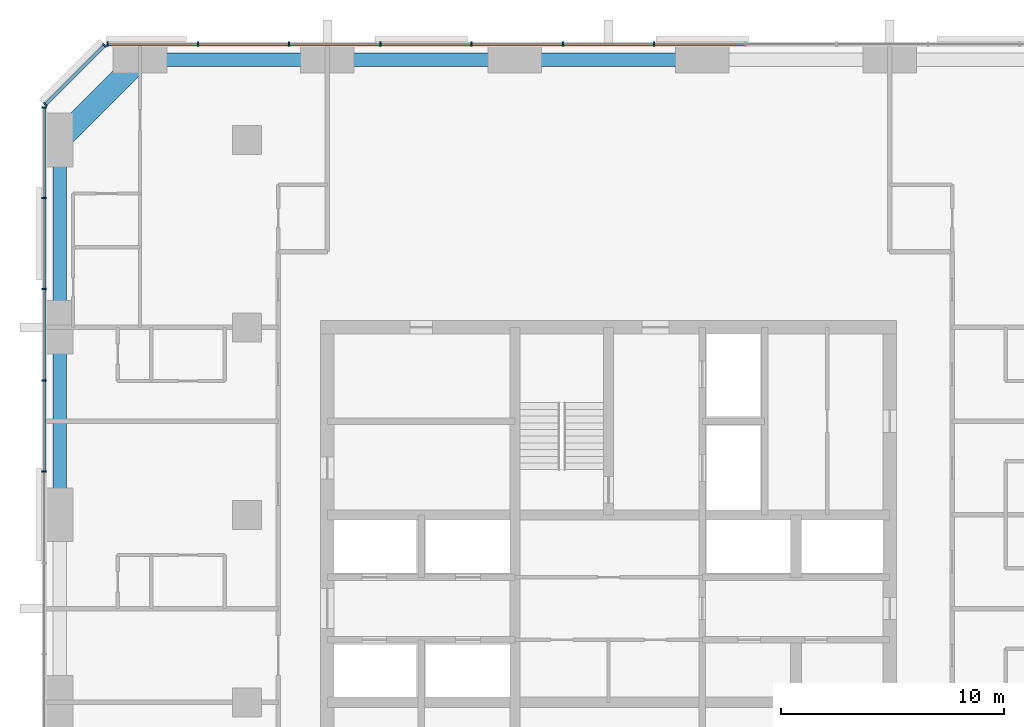
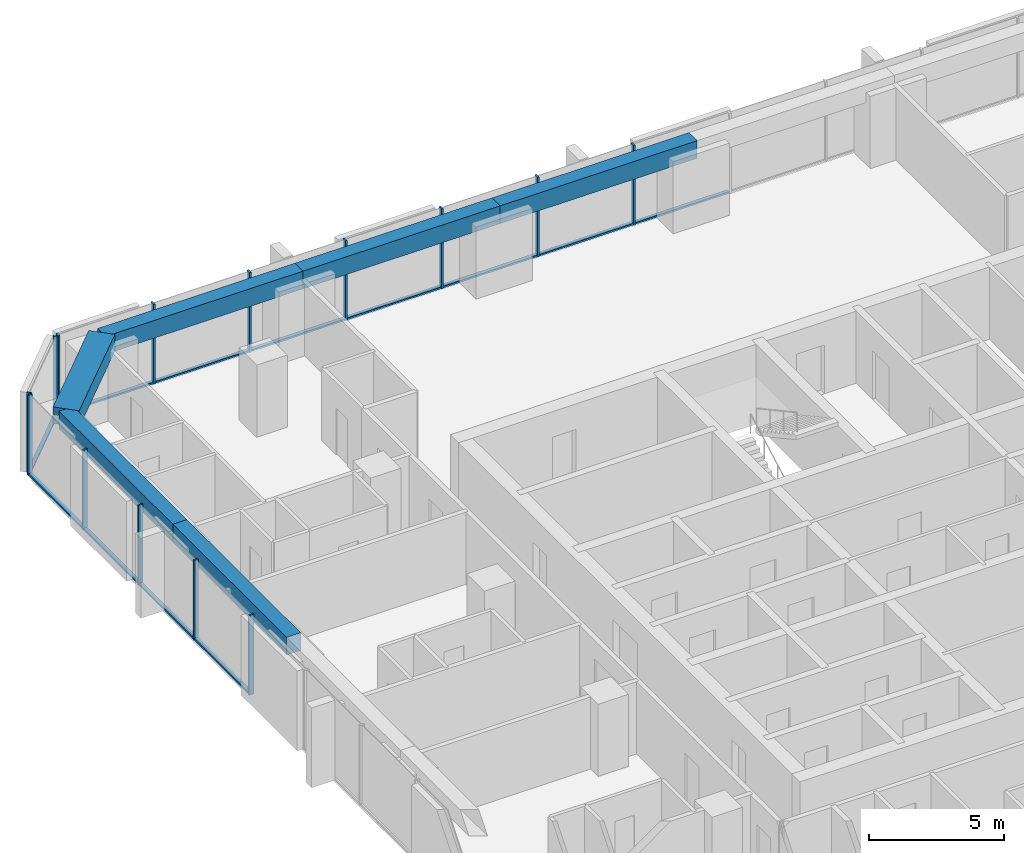
# One storey, part 5 of 14: 26 members, 6 beams, 3 elements without a shape of their own.
"""IFC4 building model written with IfcOpenShell, lengths in metres."""

import ifcopenshell
import ifcopenshell.guid

model = None  # the IFC model being written
_history = None  # IfcOwnerHistory: only IFC2X3 demands one
_inside = {}  # id of a spatial element -> (the spatial element, [elements in it])
_under = {}  # id of a project, library or spatial element -> (it, [spatial elements below it])
_declared = {}  # id of a project -> (the project, [libraries it declares])
_typed = {}  # id of a type object -> (the type object, [elements of that type])
_made_of = {}  # id of a material, layer set ... -> (it, [elements and type objects made of it])


def new_model(schema):
    """Start an empty IFC model of exactly this schema.

    Asked for "IFC4X3", IfcOpenShell would pick the latest addendum, in which some entities
    have other attributes; the version numbers below select the first issue.
    IFC2X3 requires an IfcOwnerHistory on every rooted entity: one is made here for all.
    """
    global model, _history
    if schema == "IFC4X3":
        model = ifcopenshell.file(schema_version=(4, 3, 0, 0))
    else:
        model = ifcopenshell.file(schema=schema)
    _inside.clear()
    _under.clear()
    _declared.clear()
    _typed.clear()
    _made_of.clear()
    _history = None
    if model.schema == "IFC2X3":
        org = make("IfcOrganization", Name="unknown")
        user = make(
            "IfcPersonAndOrganization",
            ThePerson=make("IfcPerson", FamilyName="unknown"),
            TheOrganization=org,
        )
        app = make(
            "IfcApplication",
            ApplicationDeveloper=org,
            Version="unknown",
            ApplicationFullName="unknown",
            ApplicationIdentifier="unknown",
        )
        _history = make(
            "IfcOwnerHistory",
            OwningUser=user,
            OwningApplication=app,
            ChangeAction="ADDED",
            CreationDate=0,
        )
    return model


def make(cls, **values):
    """One entity of the class cls with the attributes given. An attribute that is None is left unset."""
    return model.create_entity(
        cls, **{name: value for name, value in values.items() if value is not None}
    )


def rooted(cls, **values):
    """An entity with a GlobalId (a new one), such as an element, a storey or a relation."""
    return make(cls, GlobalId=ifcopenshell.guid.new(), OwnerHistory=_history, **values)


def si_unit(unit_type, name, prefix=None):
    """IfcSIUnit, for example si_unit("LENGTHUNIT", "METRE", prefix="MILLI")."""
    return make("IfcSIUnit", UnitType=unit_type, Prefix=prefix, Name=name)


def assignment(units):
    """IfcUnitAssignment: the units of a project."""
    return None if units is None else make("IfcUnitAssignment", Units=units)


def point(xyz):
    """IfcCartesianPoint."""
    return None if xyz is None else make("IfcCartesianPoint", Coordinates=xyz)


def direction(xyz):
    """IfcDirection."""
    return None if xyz is None else make("IfcDirection", DirectionRatios=xyz)


def frame(location, z_axis=None, x_axis=None):
    """IfcAxis2Placement3D, a coordinate frame: its origin and axes. An axis left out is left unset."""
    return make(
        "IfcAxis2Placement3D",
        Location=point(location),
        Axis=direction(z_axis),
        RefDirection=direction(x_axis),
    )


def frame_2d(location, x_axis=None):
    """IfcAxis2Placement2D, a coordinate frame in the plane: its origin and x axis."""
    return make(
        "IfcAxis2Placement2D", Location=point(location), RefDirection=direction(x_axis)
    )


def origin():
    """The frame at (0, 0, 0) with its axes left unset."""
    return frame((0.0, 0.0, 0.0))


def origin_2d():
    """The frame at (0, 0) in the plane with its x axis left unset."""
    return frame_2d((0.0, 0.0))


def place(relative_to, where):
    """IfcLocalPlacement: puts the frame where relative to a parent placement (None: the world)."""
    return make(
        "IfcLocalPlacement", PlacementRelTo=relative_to, RelativePlacement=where
    )


def context(
    kind, dimensions, precision=None, world=None, true_north=None, identifier=None
):
    """IfcGeometricRepresentationContext, for example the 3D "Model" context."""
    return make(
        "IfcGeometricRepresentationContext",
        ContextIdentifier=identifier,
        ContextType=kind,
        CoordinateSpaceDimension=dimensions,
        Precision=precision,
        WorldCoordinateSystem=world,
        TrueNorth=true_north,
    )


def subcontext(parent, identifier, kind, view, scale=None):
    """IfcGeometricRepresentationSubContext, for example "Body" below "Model"."""
    return make(
        "IfcGeometricRepresentationSubContext",
        ContextIdentifier=identifier,
        ContextType=kind,
        ParentContext=parent,
        TargetScale=scale,
        TargetView=view,
    )


def project(units=None, contexts=None):
    """IfcProject with its units and contexts."""
    return rooted(
        "IfcProject",
        Name="project",
        RepresentationContexts=contexts,
        UnitsInContext=assignment(units),
    )


def spatial(cls, under=None, at=None, **own):
    """A site, building, storey or space (cls), placed at a placement, below another one or the project."""
    s = rooted(cls, ObjectPlacement=at, **own)
    if under is not None:
        _under.setdefault(under.id(), (under, []))[1].append(s)
    return s


def profile(cls, at=None, kind="AREA", **sizes):
    """A parametric profile (cls). Its sizes go by their IFC names, for example OverallWidth=200.0."""
    return make(cls, ProfileType=kind, Position=at, **sizes)


def rectangle(**sizes):
    """IfcRectangleProfileDef."""
    return profile("IfcRectangleProfileDef", **sizes)


def extrude(swept, where, along, depth):
    """IfcExtrudedAreaSolid: the profile swept, set in the frame where, extruded along a direction by depth."""
    return make(
        "IfcExtrudedAreaSolid",
        SweptArea=swept,
        Position=where,
        ExtrudedDirection=direction(along),
        Depth=depth,
    )


def shape(context_of_items, identifier, shape_type, items):
    """IfcShapeRepresentation: the items that make up one representation, for example the "Body"."""
    return make(
        "IfcShapeRepresentation",
        ContextOfItems=context_of_items,
        RepresentationIdentifier=identifier,
        RepresentationType=shape_type,
        Items=items,
    )


def material(Name=None, Category=None):
    """IfcMaterial."""
    return make("IfcMaterial", Name=Name, Category=Category)


def material_profile(
    of_material, cross_section, Name=None, Category=None, Priority=None
):
    """IfcMaterialProfile: a cross section and its material."""
    return make(
        "IfcMaterialProfile",
        Name=Name,
        Material=of_material,
        Profile=cross_section,
        Priority=Priority,
        Category=Category,
    )


def profile_set(profiles, Name=None, composite=None):
    """IfcMaterialProfileSet."""
    return make(
        "IfcMaterialProfileSet",
        Name=Name,
        MaterialProfiles=profiles,
        CompositeProfile=composite,
    )


def made_of(thing, what):
    """Note that an element or type object is made of a material, layer set ...; save() writes the relation."""
    if what is not None:
        _made_of.setdefault(what.id(), (what, []))[1].append(thing)
    return thing


def type_object(cls, material=None, **own):
    """A type object (cls), such as IfcWallType, which elements share."""
    return made_of(rooted(cls, **own), material)


def element(
    cls,
    number,
    at=None,
    inside=None,
    cuts=None,
    type_object=None,
    material=None,
    context=None,
    identifier="Body",
    shape_type=None,
    held_by="IfcProductDefinitionShape",
    body=None,
    shapes=None,
    **own,
):
    """One element of the class cls, such as IfcWall. Its Tag is "e" and its number.

    at: its placement. inside: the storey or other place that contains it. cuts: it is an
    opening in that element (IfcRelVoidsElement). A single representation is given by context,
    identifier, shape_type and body (its items); several are given by shapes. held_by: the class
    of the entity that holds the representations. save() writes the other relations.
    """
    e = rooted(cls, Tag="e%d" % number, ObjectPlacement=at, **own)
    if body is not None:
        shapes = [shape(context, identifier, shape_type, body)]
    if shapes is not None:
        e.Representation = make(held_by, Representations=shapes)
    if inside is not None:
        _inside.setdefault(inside.id(), (inside, []))[1].append(e)
    if cuts is not None:
        rooted(
            "IfcRelVoidsElement", RelatingBuildingElement=cuts, RelatedOpeningElement=e
        )
    if type_object is not None:
        _typed.setdefault(type_object.id(), (type_object, []))[1].append(e)
    return made_of(e, material)


def aggregate(whole, parts):
    """IfcRelAggregates: a whole, such as a stair, and the parts it consists of."""
    return rooted("IfcRelAggregates", RelatingObject=whole, RelatedObjects=parts)


def save(model, path):
    """Write the relations noted so far, then the file.

    IfcRelAggregates (storeys below a building ...), IfcRelContainedInSpatialStructure (elements
    in a storey), IfcRelDefinesByType, IfcRelAssociatesMaterial and IfcRelDeclares: one each for
    every whole, place, type object, material and project.
    """
    for whole, parts in _under.values():
        aggregate(whole, parts)
    for where, things in _inside.values():
        rooted(
            "IfcRelContainedInSpatialStructure",
            RelatedElements=things,
            RelatingStructure=where,
        )
    for kind, things in _typed.values():
        rooted("IfcRelDefinesByType", RelatedObjects=things, RelatingType=kind)
    for what, things in _made_of.values():
        rooted("IfcRelAssociatesMaterial", RelatedObjects=things, RelatingMaterial=what)
    for by, libraries in _declared.values():
        rooted("IfcRelDeclares", RelatingContext=by, RelatedDefinitions=libraries)
    model.write(path)


model = new_model("IFC4")

# Units and contexts
model_context = context("Model", 3, precision=1e-05, world=origin(), true_north=direction((0.0, 1.0)))
body_context = subcontext(model_context, "Body", "Model", "MODEL_VIEW")
ifc_project = project(units=[si_unit("LENGTHUNIT", "METRE"), si_unit("AREAUNIT", "SQUARE_METRE"), si_unit("VOLUMEUNIT", "CUBIC_METRE"), si_unit("PLANEANGLEUNIT", "RADIAN"), si_unit("MASSUNIT", "GRAM", prefix="KILO")], contexts=[model_context])

# Site, building, storey
site_placement = place(None, origin())
site = spatial("IfcSite", under=ifc_project, at=site_placement, CompositionType="ELEMENT")
building_placement = place(site_placement, origin())
building = spatial("IfcBuilding", under=site, at=building_placement, Name="Dunama Terrace Hotel", CompositionType="ELEMENT")
storey_placement = place(building_placement, frame((0.0, 0.0, 184.199951171875)))
storey = spatial("IfcBuildingStorey", under=building, at=storey_placement, Name="L47", CompositionType="ELEMENT", Elevation=184.199951171875)

# Curtain wall, members
ifc_material_1 = material(Name="Aluminium curtain wall system", Category="aluminium")
curtain_wall_type = type_object("IfcCurtainWallType", Name="Unitised fritted glass wall CW-C", PredefinedType="NOTDEFINED", material=ifc_material_1)
curtain_wall_1_placement = place(storey_placement, origin())
curtain_wall_1 = element("IfcCurtainWall", 1, at=curtain_wall_1_placement, inside=storey, type_object=curtain_wall_type, Name="Unitised fritted glass wall CW-C L47", PredefinedType="NOTDEFINED")
ifc_material_2 = material(Name="Aluminium mullion", Category="aluminium")
ifc_material_profile_1 = material_profile(ifc_material_2, rectangle(XDim=0.070068359375, YDim=0.199951171875, at=origin_2d()), Name="CWC MULLION 70X200")
ifc_profile_set_1 = profile_set([ifc_material_profile_1], Name="Aluminium mullion")
member_type_1 = type_object("IfcMemberType", Name="CWC mullion 70x200", PredefinedType="MULLION", material=ifc_profile_set_1)
member_1_placement = place(storey_placement, frame((31.445068359375, 54.699951171875, 0.0), z_axis=(0.0, 0.0, 1.0), x_axis=(-1.0, 0.0, 0.0)))
member_1 = element("IfcMember", 2, at=member_1_placement, type_object=member_type_1, Name="CWC mullion", PredefinedType="MULLION", context=body_context, shape_type="SweptSolid", body=[
    extrude(rectangle(XDim=0.070068359375, YDim=0.199951171875, at=origin_2d()), origin(), (0.0, 0.0, 1.0), 3.60009765625),
])
member_2_placement = place(storey_placement, frame((27.35498046875, 54.699951171875, 0.0), z_axis=(0.0, 0.0, 1.0), x_axis=(-1.0, 0.0, 0.0)))
member_2 = element("IfcMember", 3, at=member_2_placement, type_object=member_type_1, Name="CWC mullion", PredefinedType="MULLION", context=body_context, shape_type="SweptSolid", body=[
    extrude(rectangle(XDim=0.070068359375, YDim=0.199951171875, at=origin_2d()), origin(), (0.0, 0.0, 1.0), 3.60009765625),
])
member_3_placement = place(storey_placement, frame((23.263916015625, 54.699951171875, 0.0), z_axis=(0.0, 0.0, 1.0), x_axis=(-1.0, 0.0, 0.0)))
member_3 = element("IfcMember", 4, at=member_3_placement, type_object=member_type_1, Name="CWC mullion", PredefinedType="MULLION", context=body_context, shape_type="SweptSolid", body=[
    extrude(rectangle(XDim=0.070068359375, YDim=0.199951171875, at=origin_2d()), origin(), (0.0, 0.0, 1.0), 3.60009765625),
])
member_4_placement = place(storey_placement, frame((19.173095703125, 54.699951171875, 0.0), z_axis=(0.0, 0.0, 1.0), x_axis=(-1.0, 0.0, 0.0)))
member_4 = element("IfcMember", 5, at=member_4_placement, type_object=member_type_1, Name="CWC mullion", PredefinedType="MULLION", context=body_context, shape_type="SweptSolid", body=[
    extrude(rectangle(XDim=0.070068359375, YDim=0.199951171875, at=origin_2d()), origin(), (0.0, 0.0, 1.0), 3.60009765625),
])
member_5_placement = place(storey_placement, frame((15.08203125, 54.699951171875, 0.0), z_axis=(0.0, 0.0, 1.0), x_axis=(-1.0, 0.0, 0.0)))
member_5 = element("IfcMember", 6, at=member_5_placement, type_object=member_type_1, Name="CWC mullion", PredefinedType="MULLION", context=body_context, shape_type="SweptSolid", body=[
    extrude(rectangle(XDim=0.070068359375, YDim=0.199951171875, at=origin_2d()), origin(), (0.0, 0.0, 1.0), 3.60009765625),
])
member_6_placement = place(storey_placement, frame((10.990966796875, 54.699951171875, 0.0), z_axis=(0.0, 0.0, 1.0), x_axis=(-1.0, 0.0, 0.0)))
member_6 = element("IfcMember", 7, at=member_6_placement, type_object=member_type_1, Name="CWC mullion", PredefinedType="MULLION", context=body_context, shape_type="SweptSolid", body=[
    extrude(rectangle(XDim=0.070068359375, YDim=0.199951171875, at=origin_2d()), origin(), (0.0, 0.0, 1.0), 3.60009765625),
])
member_7_placement = place(storey_placement, frame((6.93505859375, 54.699951171875, 0.0), z_axis=(0.0, 0.0, 1.0), x_axis=(-1.0, 0.0, 0.0)))
member_7 = element("IfcMember", 8, at=member_7_placement, type_object=member_type_1, Name="CWC mullion", PredefinedType="MULLION", context=body_context, shape_type="SweptSolid", body=[
    extrude(rectangle(XDim=0.070068359375, YDim=0.199951171875, at=origin_2d()), origin(), (0.0, 0.0, 1.0), 3.60009765625),
])

curtain_wall_2_placement = place(storey_placement, origin())
curtain_wall_2 = element("IfcCurtainWall", 9, at=curtain_wall_2_placement, inside=storey, type_object=curtain_wall_type, Name="Unitised fritted glass wall CW-C L47", PredefinedType="NOTDEFINED")
member_8_placement = place(storey_placement, frame((6.804931640625, 54.64599609375, 0.0), z_axis=(0.0, 0.0, 1.0), x_axis=(-0.707106781187, -0.707106781187, 0.0)))
member_8 = element("IfcMember", 10, at=member_8_placement, type_object=member_type_1, Name="CWC mullion", PredefinedType="MULLION", context=body_context, shape_type="SweptSolid", body=[
    extrude(rectangle(XDim=0.070068359375, YDim=0.199951171875, at=origin_2d()), origin(), (0.0, 0.0, 1.0), 3.60009765625),
])
member_9_placement = place(storey_placement, frame((4.154052734375, 51.9951171875, 0.0), z_axis=(0.0, 0.0, 1.0), x_axis=(-0.707106781187, -0.707106781187, 0.0)))
member_9 = element("IfcMember", 11, at=member_9_placement, type_object=member_type_1, Name="CWC mullion", PredefinedType="MULLION", context=body_context, shape_type="SweptSolid", body=[
    extrude(rectangle(XDim=0.070068359375, YDim=0.199951171875, at=origin_2d()), origin(), (0.0, 0.0, 1.0), 3.60009765625),
])

curtain_wall_3_placement = place(storey_placement, origin())
curtain_wall_3 = element("IfcCurtainWall", 12, at=curtain_wall_3_placement, inside=storey, type_object=curtain_wall_type, Name="Unitised fritted glass wall CW-C L47", PredefinedType="NOTDEFINED")
member_10_placement = place(storey_placement, frame((4.10009765625, 51.864990234375, 0.0), z_axis=(0.0, 0.0, 1.0), x_axis=(0.0, -1.0, 0.0)))
member_10 = element("IfcMember", 13, at=member_10_placement, type_object=member_type_1, Name="CWC mullion", PredefinedType="MULLION", context=body_context, shape_type="SweptSolid", body=[
    extrude(rectangle(XDim=0.070068359375, YDim=0.199951171875, at=origin_2d()), origin(), (0.0, 0.0, 1.0), 3.60009765625),
])
member_11_placement = place(storey_placement, frame((4.10009765625, 47.80908203125, 0.0), z_axis=(0.0, 0.0, 1.0), x_axis=(0.0, -1.0, 0.0)))
member_11 = element("IfcMember", 14, at=member_11_placement, type_object=member_type_1, Name="CWC mullion", PredefinedType="MULLION", context=body_context, shape_type="SweptSolid", body=[
    extrude(rectangle(XDim=0.070068359375, YDim=0.199951171875, at=origin_2d()), origin(), (0.0, 0.0, 1.0), 3.60009765625),
])
member_12_placement = place(storey_placement, frame((4.10009765625, 43.718017578125, 0.0), z_axis=(0.0, 0.0, 1.0), x_axis=(0.0, -1.0, 0.0)))
member_12 = element("IfcMember", 15, at=member_12_placement, type_object=member_type_1, Name="CWC mullion", PredefinedType="MULLION", context=body_context, shape_type="SweptSolid", body=[
    extrude(rectangle(XDim=0.070068359375, YDim=0.199951171875, at=origin_2d()), origin(), (0.0, 0.0, 1.0), 3.60009765625),
])
member_13_placement = place(storey_placement, frame((4.10009765625, 39.626953125, 0.0), z_axis=(0.0, 0.0, 1.0), x_axis=(0.0, -1.0, 0.0)))
member_13 = element("IfcMember", 16, at=member_13_placement, type_object=member_type_1, Name="CWC mullion", PredefinedType="MULLION", context=body_context, shape_type="SweptSolid", body=[
    extrude(rectangle(XDim=0.070068359375, YDim=0.199951171875, at=origin_2d()), origin(), (0.0, 0.0, 1.0), 3.60009765625),
])
member_14_placement = place(storey_placement, frame((4.10009765625, 35.535888671875, 0.0), z_axis=(0.0, 0.0, 1.0), x_axis=(0.0, -1.0, 0.0)))
member_14 = element("IfcMember", 17, at=member_14_placement, type_object=member_type_1, Name="CWC mullion", PredefinedType="MULLION", context=body_context, shape_type="SweptSolid", body=[
    extrude(rectangle(XDim=0.070068359375, YDim=0.199951171875, at=origin_2d()), origin(), (0.0, 0.0, 1.0), 3.60009765625),
])

# Member
ifc_material_3 = material(Name="Aluminium transom", Category="aluminium")
ifc_material_profile_2 = material_profile(ifc_material_3, rectangle(XDim=0.159912109375, YDim=0.080078125, at=origin_2d()), Name="CWC TRANSOM 160X80")
ifc_profile_set_2 = profile_set([ifc_material_profile_2], Name="Aluminium transom")
member_type_2 = type_object("IfcMemberType", Name="CWC transom 160x80", PredefinedType="USERDEFINED", material=ifc_profile_set_2)
member_15_placement = place(storey_placement, frame((35.5009765625, 54.699951171875, 0.0400390625), z_axis=(-1.0, 0.0, 0.0), x_axis=(0.0, -1.0, 0.0)))
member_15 = element("IfcMember", 18, at=member_15_placement, type_object=member_type_2, Name="CWC transom", ObjectType="TRANSOM", PredefinedType="USERDEFINED", context=body_context, shape_type="SweptSolid", body=[
    extrude(rectangle(XDim=0.159912109375, YDim=0.080078125, at=origin_2d()), origin(), (0.0, 0.0, 1.0), 4.02099609375),
])

member_16_placement = place(storey_placement, frame((31.409912109375, 54.699951171875, 0.0400390625), z_axis=(-1.0, 0.0, 0.0), x_axis=(0.0, -1.0, 0.0)))
member_16 = element("IfcMember", 19, at=member_16_placement, type_object=member_type_2, Name="CWC transom", ObjectType="TRANSOM", PredefinedType="USERDEFINED", context=body_context, shape_type="SweptSolid", body=[
    extrude(rectangle(XDim=0.159912109375, YDim=0.080078125, at=origin_2d()), origin(), (0.0, 0.0, 1.0), 4.02001953125),
])

member_17_placement = place(storey_placement, frame((27.320068359375, 54.699951171875, 0.0400390625), z_axis=(-1.0, 0.0, 0.0), x_axis=(0.0, -1.0, 0.0)))
member_17 = element("IfcMember", 20, at=member_17_placement, type_object=member_type_2, Name="CWC transom", ObjectType="TRANSOM", PredefinedType="USERDEFINED", context=body_context, shape_type="SweptSolid", body=[
    extrude(rectangle(XDim=0.159912109375, YDim=0.080078125, at=origin_2d()), origin(), (0.0, 0.0, 1.0), 4.02099609375),
])

member_18_placement = place(storey_placement, frame((23.22900390625, 54.699951171875, 0.0400390625), z_axis=(-1.0, 0.0, 0.0), x_axis=(0.0, -1.0, 0.0)))
member_18 = element("IfcMember", 21, at=member_18_placement, type_object=member_type_2, Name="CWC transom", ObjectType="TRANSOM", PredefinedType="USERDEFINED", context=body_context, shape_type="SweptSolid", body=[
    extrude(rectangle(XDim=0.159912109375, YDim=0.080078125, at=origin_2d()), origin(), (0.0, 0.0, 1.0), 4.02099609375),
])

member_19_placement = place(storey_placement, frame((19.137939453125, 54.699951171875, 0.0400390625), z_axis=(-1.0, 0.0, 0.0), x_axis=(0.0, -1.0, 0.0)))
member_19 = element("IfcMember", 22, at=member_19_placement, type_object=member_type_2, Name="CWC transom", ObjectType="TRANSOM", PredefinedType="USERDEFINED", context=body_context, shape_type="SweptSolid", body=[
    extrude(rectangle(XDim=0.159912109375, YDim=0.080078125, at=origin_2d()), origin(), (0.0, 0.0, 1.0), 4.02099609375),
])

member_20_placement = place(storey_placement, frame((15.047119140625, 54.699951171875, 0.0400390625), z_axis=(-1.0, 0.0, 0.0), x_axis=(0.0, -1.0, 0.0)))
member_20 = element("IfcMember", 23, at=member_20_placement, type_object=member_type_2, Name="CWC transom", ObjectType="TRANSOM", PredefinedType="USERDEFINED", context=body_context, shape_type="SweptSolid", body=[
    extrude(rectangle(XDim=0.159912109375, YDim=0.080078125, at=origin_2d()), origin(), (0.0, 0.0, 1.0), 4.021240234375),
])

member_21_placement = place(storey_placement, frame((10.9560546875, 54.699951171875, 0.0400390625), z_axis=(-1.0, 0.0, 0.0), x_axis=(0.0, -1.0, 0.0)))
member_21 = element("IfcMember", 24, at=member_21_placement, type_object=member_type_2, Name="CWC transom", ObjectType="TRANSOM", PredefinedType="USERDEFINED", context=body_context, shape_type="SweptSolid", body=[
    extrude(rectangle(XDim=0.159912109375, YDim=0.080078125, at=origin_2d()), origin(), (0.0, 0.0, 1.0), 3.986083984375),
])

aggregate(curtain_wall_1, [member_1, member_2, member_3, member_4, member_5, member_6, member_7, member_15, member_16, member_17, member_18, member_19, member_20, member_21])

member_22_placement = place(storey_placement, frame((6.780029296875, 54.62109375, 0.0400390625), z_axis=(-0.707106781187, -0.707106781187, 0.0), x_axis=(0.707106781187, -0.707106781187, 0.0)))
member_22 = element("IfcMember", 25, at=member_22_placement, type_object=member_type_2, Name="CWC transom", ObjectType="TRANSOM", PredefinedType="USERDEFINED", context=body_context, shape_type="SweptSolid", body=[
    extrude(rectangle(XDim=0.159912109375, YDim=0.080078125, at=origin_2d()), origin(), (0.0, 0.0, 1.0), 3.678466796875),
])

aggregate(curtain_wall_2, [member_8, member_9, member_22])

member_23_placement = place(storey_placement, frame((4.10009765625, 51.830078125, 0.0400390625), z_axis=(0.0, -1.0, 0.0), x_axis=(1.0, 0.0, 0.0)))
member_23 = element("IfcMember", 26, at=member_23_placement, type_object=member_type_2, Name="CWC transom", ObjectType="TRANSOM", PredefinedType="USERDEFINED", context=body_context, shape_type="SweptSolid", body=[
    extrude(rectangle(XDim=0.159912109375, YDim=0.080078125, at=origin_2d()), origin(), (0.0, 0.0, 1.0), 3.986083984375),
])

member_24_placement = place(storey_placement, frame((4.10009765625, 47.77392578125, 0.0400390625), z_axis=(0.0, -1.0, 0.0), x_axis=(1.0, 0.0, 0.0)))
member_24 = element("IfcMember", 27, at=member_24_placement, type_object=member_type_2, Name="CWC transom", ObjectType="TRANSOM", PredefinedType="USERDEFINED", context=body_context, shape_type="SweptSolid", body=[
    extrude(rectangle(XDim=0.159912109375, YDim=0.080078125, at=origin_2d()), origin(), (0.0, 0.0, 1.0), 4.02099609375),
])

member_25_placement = place(storey_placement, frame((4.10009765625, 43.68310546875, 0.0400390625), z_axis=(0.0, -1.0, 0.0), x_axis=(1.0, 0.0, 0.0)))
member_25 = element("IfcMember", 28, at=member_25_placement, type_object=member_type_2, Name="CWC transom", ObjectType="TRANSOM", PredefinedType="USERDEFINED", context=body_context, shape_type="SweptSolid", body=[
    extrude(rectangle(XDim=0.159912109375, YDim=0.080078125, at=origin_2d()), origin(), (0.0, 0.0, 1.0), 4.02099609375),
])

member_26_placement = place(storey_placement, frame((4.10009765625, 39.592041015625, 0.0400390625), z_axis=(0.0, -1.0, 0.0), x_axis=(1.0, 0.0, 0.0)))
member_26 = element("IfcMember", 29, at=member_26_placement, type_object=member_type_2, Name="CWC transom", ObjectType="TRANSOM", PredefinedType="USERDEFINED", context=body_context, shape_type="SweptSolid", body=[
    extrude(rectangle(XDim=0.159912109375, YDim=0.080078125, at=origin_2d()), origin(), (0.0, 0.0, 1.0), 4.02099609375),
])

aggregate(curtain_wall_3, [member_10, member_11, member_12, member_13, member_14, member_23, member_24, member_25, member_26])

# Beams
ifc_material_4 = material(Name="Concrete C50/60", Category="concrete")
ifc_material_profile_3 = material_profile(ifc_material_4, rectangle(XDim=1.0, YDim=0.75, at=origin_2d()), Name="RC 1000x750")
ifc_profile_set_3 = profile_set([ifc_material_profile_3], Name="Concrete C50/60")
beam_type_1 = type_object("IfcBeamType", Name="Edge beam RC 1000x750", PredefinedType="SPANDREL", material=ifc_profile_set_3)
beam_1_placement = place(storey_placement, frame((8.39990234375, 54.0, 3.22509765625), z_axis=(-0.707082803744, -0.707130757816, 0.0), x_axis=(0.707130757816, -0.707082803744, 0.0)))
element("IfcBeam", 30, at=beam_1_placement, inside=storey, type_object=beam_type_1, Name="Corner edge beam under L48", PredefinedType="SPANDREL", context=body_context, shape_type="SweptSolid", body=[
    extrude(rectangle(XDim=1.0, YDim=0.75, at=origin_2d()), origin(), (0.0, 0.0, 1.0), 5.091064453125),
])
ifc_material_5 = material(Name="Concrete C40/50", Category="concrete")
ifc_material_profile_4 = material_profile(ifc_material_5, rectangle(XDim=0.60009765625, YDim=0.800048828125, at=origin_2d()), Name="RC 600x800")
ifc_profile_set_4 = profile_set([ifc_material_profile_4], Name="Concrete C40/50")
beam_type_2 = type_object("IfcBeamType", Name="Edge beam RC 600x800", PredefinedType="SPANDREL", material=ifc_profile_set_4)
for number, where, z_axis, x_axis, name in (
    (31, (4.800048828125, 33.60009765625, 3.199951171875), (0.0, 1.0, 0.0), (-1.0, 0.0, 0.0), "Edge beam under L48"),
    (32, (4.800048828125, 42.0, 3.199951171875), (0.0, 1.0, 0.0), (-1.0, 0.0, 0.0), "Edge beam under L48"),
):
    element("IfcBeam", number, at=place(storey_placement, frame(where, z_axis=z_axis, x_axis=x_axis)), inside=storey, type_object=beam_type_2, Name=name, PredefinedType="SPANDREL", context=body_context, shape_type="SweptSolid", body=[
        extrude(rectangle(XDim=0.60009765625, YDim=0.800048828125, at=origin_2d()), origin(), (0.0, 0.0, 1.0), 8.39990234375),
    ])
beam_2_placement = place(storey_placement, frame((8.39990234375, 54.0, 3.199951171875), z_axis=(1.0, 0.0, 0.0), x_axis=(0.0, 1.0, 0.0)))
element("IfcBeam", 33, at=beam_2_placement, inside=storey, type_object=beam_type_2, Name="Edge beam under L48", PredefinedType="SPANDREL", context=body_context, shape_type="SweptSolid", body=[
    extrude(rectangle(XDim=0.60009765625, YDim=0.800048828125, at=origin_2d()), origin(), (0.0, 0.0, 1.0), 8.400146484375),
])
beam_3_placement = place(storey_placement, frame((16.800048828125, 54.0, 3.199951171875), z_axis=(1.0, 0.0, 0.0), x_axis=(0.0, 1.0, 0.0)))
element("IfcBeam", 34, at=beam_3_placement, inside=storey, type_object=beam_type_2, Name="Edge beam under L48", PredefinedType="SPANDREL", context=body_context, shape_type="SweptSolid", body=[
    extrude(rectangle(XDim=0.60009765625, YDim=0.800048828125, at=origin_2d()), origin(), (0.0, 0.0, 1.0), 8.39990234375),
])
beam_4_placement = place(storey_placement, frame((25.199951171875, 54.0, 3.199951171875), z_axis=(1.0, 0.0, 0.0), x_axis=(0.0, 1.0, 0.0)))
element("IfcBeam", 35, at=beam_4_placement, inside=storey, type_object=beam_type_2, Name="Edge beam under L48", PredefinedType="SPANDREL", context=body_context, shape_type="SweptSolid", body=[
    extrude(rectangle(XDim=0.60009765625, YDim=0.800048828125, at=origin_2d()), origin(), (0.0, 0.0, 1.0), 8.400146484375),
])

save(model, "model.ifc")
